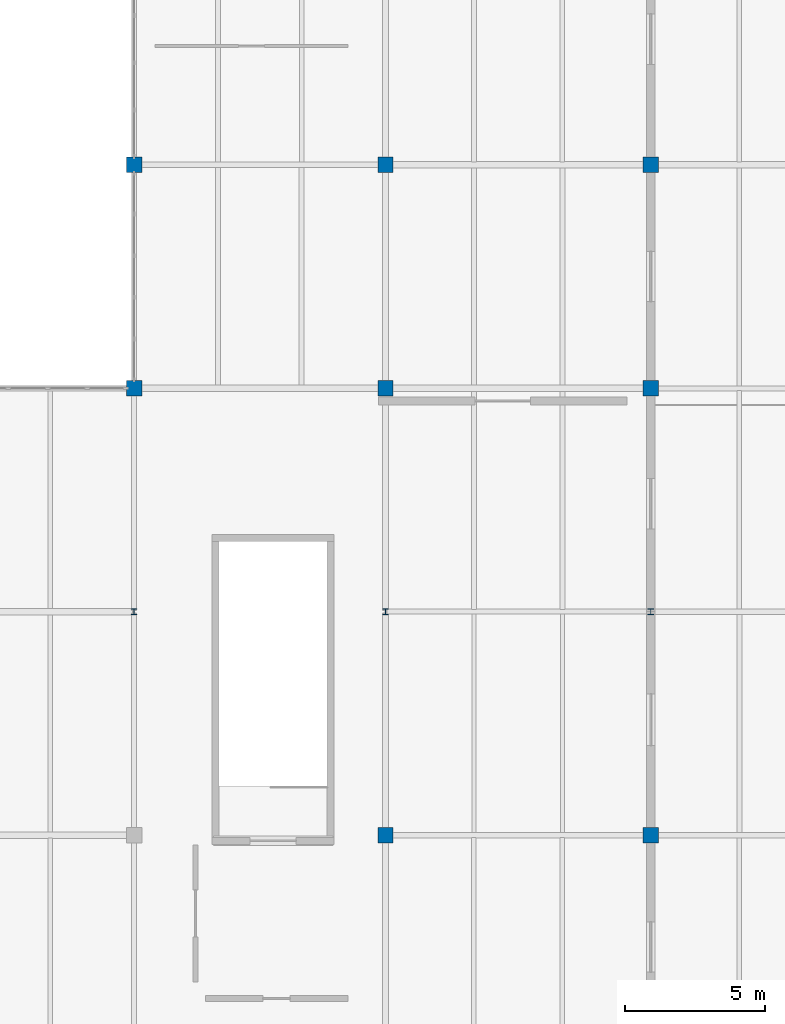
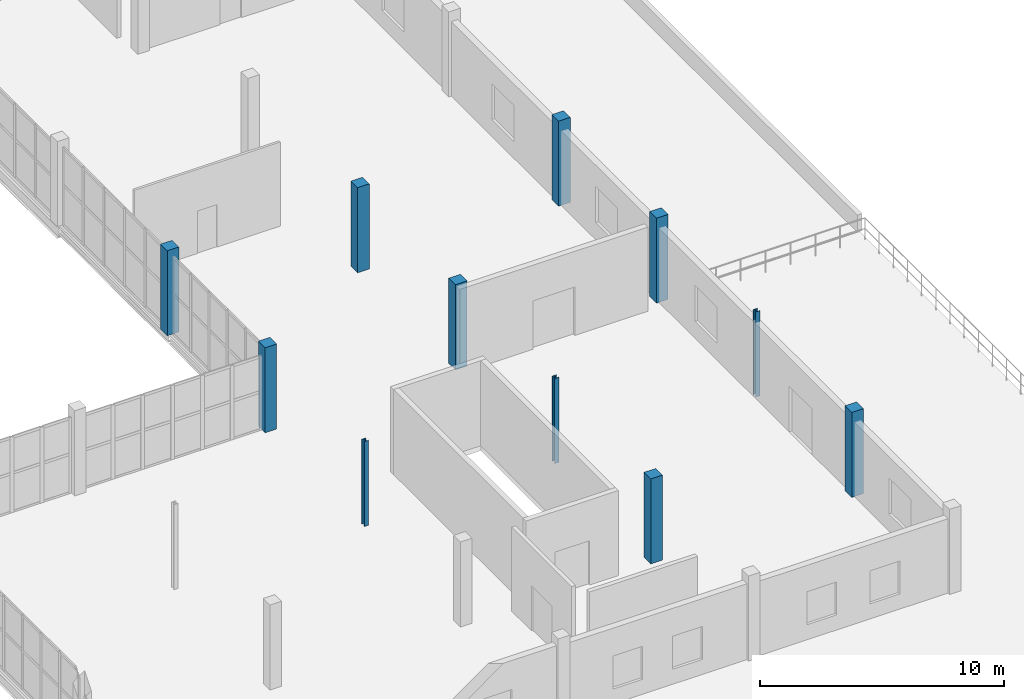
# One storey, part 4 of 54: 11 columns.
"""IFC4 building model written with IfcOpenShell, lengths in metres."""

from ifc_helpers import new_model, si_unit, direction, frame, origin, origin_2d, place, context, subcontext, project, spatial, rectangle, i_section, extrude, material, material_profile, profile_set, type_object, element, save


model = new_model("IFC4")

# Units and contexts
model_context = context("Model", 3, precision=1e-05, world=origin(), true_north=direction((0.0, 1.0)))
body_context = subcontext(model_context, "Body", "Model", "MODEL_VIEW")
ifc_project = project(units=[si_unit("LENGTHUNIT", "METRE"), si_unit("AREAUNIT", "SQUARE_METRE"), si_unit("VOLUMEUNIT", "CUBIC_METRE"), si_unit("PLANEANGLEUNIT", "RADIAN"), si_unit("MASSUNIT", "GRAM", prefix="KILO")], contexts=[model_context])

# Site, building, storey
site_placement = place(None, origin())
site = spatial("IfcSite", under=ifc_project, at=site_placement, CompositionType="ELEMENT")
building_placement = place(site_placement, origin())
building = spatial("IfcBuilding", under=site, at=building_placement, Name="Marnock Terrace Opera House", CompositionType="ELEMENT")
storey_placement = place(building_placement, frame((0.0, 0.0, 19.199951171875)))
storey = spatial("IfcBuildingStorey", under=building, at=storey_placement, Name="L04", CompositionType="ELEMENT", Elevation=19.199951171875)

# Columns
ifc_material_1 = material(Name="Concrete N40 (f'c = 40 MPa)", Category="concrete")
ifc_material_profile_1 = material_profile(ifc_material_1, rectangle(XDim=0.550048828125, YDim=0.550048828125, at=origin_2d()))
ifc_profile_set_1 = profile_set([ifc_material_profile_1], Name="Concrete N40 (f'c = 40 MPa)")
column_type_1 = type_object("IfcColumnType", Name="COL-RC550", PredefinedType="COLUMN", material=ifc_profile_set_1)
for number, where, z_axis, x_axis, name in (
    (1, (136.0, 40.0, 0.0), (0.0, 0.0, 1.0), (1.0, 0.0, 0.0), "L04 column at (136.0, 40.0)"),
    (2, (136.0, 48.0, 0.0), (0.0, 0.0, 1.0), (1.0, 0.0, 0.0), "L04 column at (136.0, 48.0)"),
    (3, (145.0, 24.0, 0.0), (0.0, 0.0, 1.0), (1.0, 0.0, 0.0), "L04 column at (145.0, 24.0)"),
    (4, (145.0, 40.0, 0.0), (0.0, 0.0, 1.0), (1.0, 0.0, 0.0), "L04 column at (145.0, 40.0)"),
    (5, (145.0, 48.0, 0.0), (0.0, 0.0, 1.0), (1.0, 0.0, 0.0), "L04 column at (145.0, 48.0)"),
    (6, (154.5, 24.0, 0.0), (0.0, 0.0, 1.0), (1.0, 0.0, 0.0), "L04 column at (154.5, 24.0)"),
    (7, (154.5, 40.0, 0.0), (0.0, 0.0, 1.0), (1.0, 0.0, 0.0), "L04 column at (154.5, 40.0)"),
    (8, (154.5, 48.0, 0.0), (0.0, 0.0, 1.0), (1.0, 0.0, 0.0), "L04 column at (154.5, 48.0)"),
):
    element("IfcColumn", number, at=place(storey_placement, frame(where, z_axis=z_axis, x_axis=x_axis)), inside=storey, type_object=column_type_1, Name=name, PredefinedType="COLUMN", context=body_context, shape_type="SweptSolid", body=[
        extrude(rectangle(XDim=0.550048828125, YDim=0.550048828125, at=origin_2d()), origin(), (0.0, 0.0, 1.0), 4.25),
    ])
ifc_material_2 = material(Name="Steel Grade 350 (AS/NZS 3679.1)", Category="steel")
ifc_material_profile_2 = material_profile(ifc_material_2, i_section(OverallWidth=0.205078125, OverallDepth=0.209716796875, WebThickness=0.00927734375, FlangeThickness=0.01416015625, FilletRadius=0.011474609375, at=origin_2d()))
ifc_profile_set_2 = profile_set([ifc_material_profile_2], Name="Steel Grade 350 (AS/NZS 3679.1)")
column_type_2 = type_object("IfcColumnType", Name="COL-UC200", PredefinedType="COLUMN", material=ifc_profile_set_2)
for number, where, z_axis, x_axis, name in (
    (9, (136.0, 32.0, 0.0), (0.0, 0.0, 1.0), (1.0, 0.0, 0.0), "L04 column at (136.0, 32.0)"),
    (10, (145.0, 32.0, 0.0), (0.0, 0.0, 1.0), (1.0, 0.0, 0.0), "L04 column at (145.0, 32.0)"),
    (11, (154.5, 32.0, 0.0), (0.0, 0.0, 1.0), (1.0, 0.0, 0.0), "L04 column at (154.5, 32.0)"),
):
    element("IfcColumn", number, at=place(storey_placement, frame(where, z_axis=z_axis, x_axis=x_axis)), inside=storey, type_object=column_type_2, Name=name, PredefinedType="COLUMN", context=body_context, shape_type="SweptSolid", body=[
        extrude(i_section(OverallWidth=0.205078125, OverallDepth=0.209716796875, WebThickness=0.00927734375, FlangeThickness=0.01416015625, FilletRadius=0.011474609375, at=origin_2d()), origin(), (0.0, 0.0, 1.0), 4.25),
    ])

save(model, "model.ifc")
